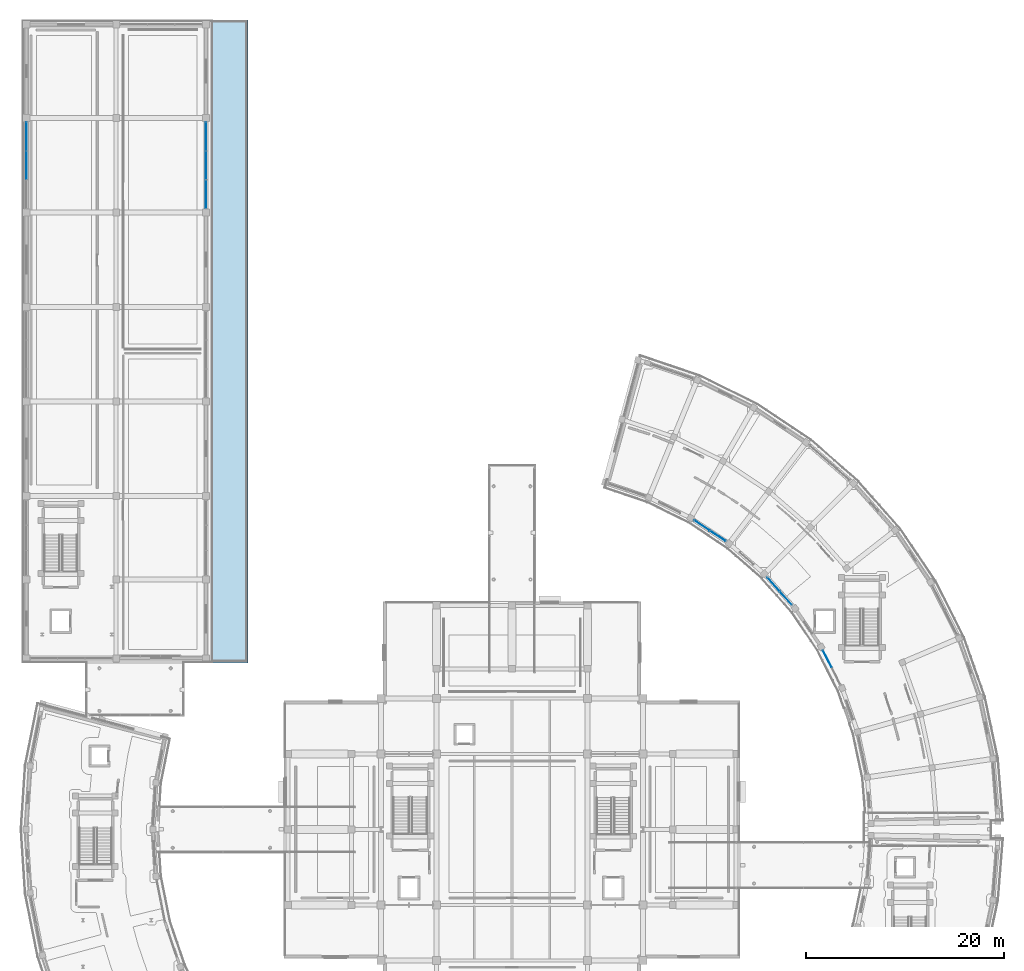
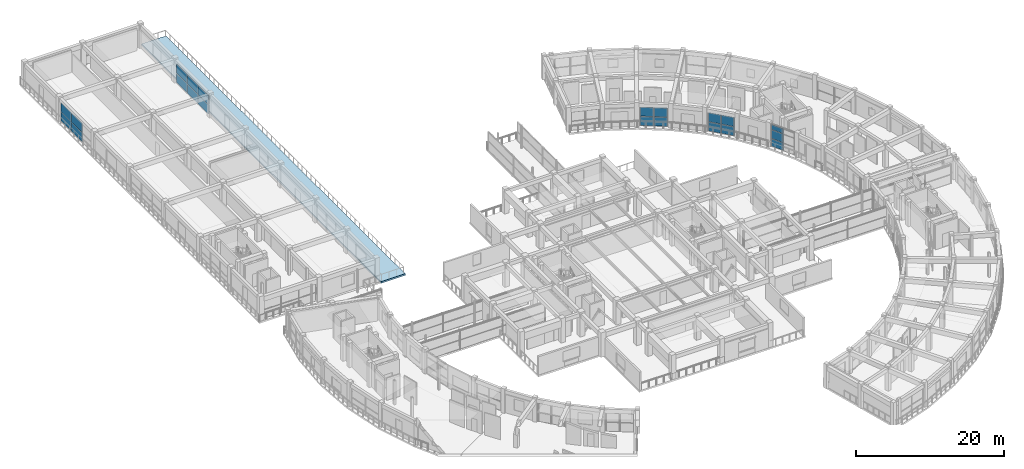
# One storey, part 42 of 70: 21 plates, 1 slab, 5 elements without a shape of their own.
"""IFC4 building model written with IfcOpenShell, lengths in metres."""

from ifc_helpers import new_model, si_unit, direction, frame, origin, origin_2d, place, context, subcontext, project, spatial, polyline, rectangle, outline, extrude, material, layer, layer_set, type_object, element, aggregate, save


model = new_model("IFC4")

# Units and contexts
model_context = context("Model", 3, precision=1e-05, world=origin(), true_north=direction((0.0, 1.0)))
body_context = subcontext(model_context, "Body", "Model", "MODEL_VIEW")
ifc_project = project(units=[si_unit("LENGTHUNIT", "METRE"), si_unit("AREAUNIT", "SQUARE_METRE"), si_unit("VOLUMEUNIT", "CUBIC_METRE"), si_unit("PLANEANGLEUNIT", "RADIAN"), si_unit("MASSUNIT", "GRAM", prefix="KILO")], contexts=[model_context])

# Site, building, storey
site_placement = place(None, origin())
site = spatial("IfcSite", under=ifc_project, at=site_placement, CompositionType="ELEMENT")
building_placement = place(site_placement, origin())
building = spatial("IfcBuilding", under=site, at=building_placement, Name="Saryqyr Civic Hall", CompositionType="ELEMENT")
storey_placement = place(building_placement, frame((0.0, 0.0, 13.199951171875)))
storey = spatial("IfcBuildingStorey", under=building, at=storey_placement, Name="L03", CompositionType="ELEMENT", Elevation=13.199951171875)

# Curtain wall, plates
ifc_material_1 = material(Name="Anodised aluminium and triple low-E glass", Category="aluminium")
curtain_wall_type_1 = type_object("IfcCurtainWallType", Name="ENV-CW-STD-48", PredefinedType="NOTDEFINED", material=ifc_material_1)
curtain_wall_1_placement = place(storey_placement, origin())
curtain_wall_1 = element("IfcCurtainWall", 1, at=curtain_wall_1_placement, inside=storey, type_object=curtain_wall_type_1, Name="Curtain wall V6-CWI-L03-03", PredefinedType="NOTDEFINED")
ifc_material_2 = material(Name="Triple low-E insulated glazing", Category="glass")
ifc_layer_1 = layer(ifc_material_2, 0.053955078125, Name="Triple low-E insulated glazing")
ifc_layer_set_1 = layer_set([ifc_layer_1], Name="Triple low-E insulated glazing")
plate_type = type_object("IfcPlateType", Name="ENV-CW-PNL-38", PredefinedType="CURTAIN_PANEL", material=ifc_layer_set_1)
plate_1_placement = place(storey_placement, frame((88.78955078125, 101.18505859375, 0.06005859375), z_axis=(0.0, 0.0, 1.0), x_axis=(-0.451909750219, 0.892063662334, 0.0)))
plate_1 = element("IfcPlate", 2, at=plate_1_placement, type_object=plate_type, Name="CW-48 panel 2.1", PredefinedType="CURTAIN_PANEL", context=body_context, shape_type="SweptSolid", body=[
    extrude(rectangle(XDim=1.866455078125, YDim=0.053955078125, at=origin_2d()), origin(), (0.0, 0.0, 1.0), 1.241943359375),
])
plate_2_placement = place(storey_placement, frame((88.78955078125, 101.18505859375, 1.362060546875), z_axis=(0.0, 0.0, 1.0), x_axis=(-0.451909750219, 0.892063662334, 0.0)))
plate_2 = element("IfcPlate", 3, at=plate_2_placement, type_object=plate_type, Name="CW-48 panel 2.2", PredefinedType="CURTAIN_PANEL", context=body_context, shape_type="SweptSolid", body=[
    extrude(rectangle(XDim=1.866455078125, YDim=0.053955078125, at=origin_2d()), origin(), (0.0, 0.0, 1.0), 1.419921875),
])
plate_3_placement = place(storey_placement, frame((88.78955078125, 101.18505859375, 2.841796875), z_axis=(0.0, 0.0, 1.0), x_axis=(-0.451909750219, 0.892063662334, 0.0)))
plate_3 = element("IfcPlate", 4, at=plate_3_placement, type_object=plate_type, Name="CW-48 panel 2.3", PredefinedType="CURTAIN_PANEL", context=body_context, shape_type="SweptSolid", body=[
    extrude(rectangle(XDim=1.866455078125, YDim=0.053955078125, at=origin_2d()), origin(), (0.0, 0.0, 1.0), 0.798095703125),
])
aggregate(curtain_wall_1, [plate_1, plate_2, plate_3])

curtain_wall_type_2 = type_object("IfcCurtainWallType", Name="ENV-CW-STD-27", PredefinedType="NOTDEFINED", material=ifc_material_1)
curtain_wall_2_placement = place(storey_placement, origin())
curtain_wall_2 = element("IfcCurtainWall", 5, at=curtain_wall_2_placement, inside=storey, type_object=curtain_wall_type_2, Name="Curtain wall V6-CWI-L03-05", PredefinedType="NOTDEFINED")
plate_4_placement = place(storey_placement, frame((84.59716796875, 107.32861328125, 0.06005859375), z_axis=(0.0, 0.0, 1.0), x_axis=(-0.664934070862, 0.7469020561, 0.0)))
plate_4 = element("IfcPlate", 6, at=plate_4_placement, type_object=plate_type, Name="CW-27 panel 1.1", PredefinedType="CURTAIN_PANEL", context=body_context, shape_type="SweptSolid", body=[
    extrude(rectangle(XDim=1.79248046875, YDim=0.053955078125, at=origin_2d()), origin(), (0.0, 0.0, 1.0), 1.491943359375),
])
plate_5_placement = place(storey_placement, frame((84.59716796875, 107.32861328125, 1.6123046875), z_axis=(0.0, 0.0, 1.0), x_axis=(-0.664934070862, 0.7469020561, 0.0)))
plate_5 = element("IfcPlate", 7, at=plate_5_placement, type_object=plate_type, Name="CW-27 panel 1.2", PredefinedType="CURTAIN_PANEL", context=body_context, shape_type="SweptSolid", body=[
    extrude(rectangle(XDim=1.79248046875, YDim=0.053955078125, at=origin_2d()), origin(), (0.0, 0.0, 1.0), 1.492919921875),
])
plate_6_placement = place(storey_placement, frame((83.365478515625, 108.71240234375, 0.06005859375), z_axis=(0.0, 0.0, 1.0), x_axis=(-0.664934070862, 0.7469020561, 0.0)))
plate_6 = element("IfcPlate", 8, at=plate_6_placement, type_object=plate_type, Name="CW-27 panel 2.1", PredefinedType="CURTAIN_PANEL", context=body_context, shape_type="SweptSolid", body=[
    extrude(rectangle(XDim=1.79248046875, YDim=0.053955078125, at=origin_2d()), origin(), (0.0, 0.0, 1.0), 1.491943359375),
])
plate_7_placement = place(storey_placement, frame((83.365478515625, 108.71240234375, 1.6123046875), z_axis=(0.0, 0.0, 1.0), x_axis=(-0.664934070862, 0.7469020561, 0.0)))
plate_7 = element("IfcPlate", 9, at=plate_7_placement, type_object=plate_type, Name="CW-27 panel 2.2", PredefinedType="CURTAIN_PANEL", context=body_context, shape_type="SweptSolid", body=[
    extrude(rectangle(XDim=1.79248046875, YDim=0.053955078125, at=origin_2d()), origin(), (0.0, 0.0, 1.0), 1.492919921875),
])
aggregate(curtain_wall_2, [plate_4, plate_5, plate_6, plate_7])

curtain_wall_type_3 = type_object("IfcCurtainWallType", Name="ENV-CW-STD-25", PredefinedType="NOTDEFINED", material=ifc_material_1)
curtain_wall_3_placement = place(storey_placement, origin())
curtain_wall_3 = element("IfcCurtainWall", 10, at=curtain_wall_3_placement, inside=storey, type_object=curtain_wall_type_3, Name="Curtain wall V6-CWI-L03-07", PredefinedType="NOTDEFINED")
plate_8_placement = place(storey_placement, frame((77.737060546875, 113.594970703125, 0.06005859375), z_axis=(0.0, 0.0, 1.0), x_axis=(-0.833756291383, 0.552132634953, 0.0)))
plate_8 = element("IfcPlate", 11, at=plate_8_placement, type_object=plate_type, Name="CW-25 panel 1.1", PredefinedType="CURTAIN_PANEL", context=body_context, shape_type="SweptSolid", body=[
    extrude(rectangle(XDim=1.83984375, YDim=0.053955078125, at=origin_2d()), origin(), (0.0, 0.0, 1.0), 1.491943359375),
])
plate_9_placement = place(storey_placement, frame((77.737060546875, 113.594970703125, 1.6123046875), z_axis=(0.0, 0.0, 1.0), x_axis=(-0.833756291383, 0.552132634953, 0.0)))
plate_9 = element("IfcPlate", 12, at=plate_9_placement, type_object=plate_type, Name="CW-25 panel 1.2", PredefinedType="CURTAIN_PANEL", context=body_context, shape_type="SweptSolid", body=[
    extrude(rectangle(XDim=1.83984375, YDim=0.053955078125, at=origin_2d()), origin(), (0.0, 0.0, 1.0), 1.492919921875),
])
plate_10_placement = place(storey_placement, frame((76.15283203125, 114.643798828125, 0.06005859375), z_axis=(0.0, 0.0, 1.0), x_axis=(-0.833756291383, 0.552132634953, 0.0)))
plate_10 = element("IfcPlate", 13, at=plate_10_placement, type_object=plate_type, Name="CW-25 panel 2.1", PredefinedType="CURTAIN_PANEL", context=body_context, shape_type="SweptSolid", body=[
    extrude(rectangle(XDim=1.83984375, YDim=0.053955078125, at=origin_2d()), origin(), (0.0, 0.0, 1.0), 1.491943359375),
])
plate_11_placement = place(storey_placement, frame((76.15283203125, 114.643798828125, 1.6123046875), z_axis=(0.0, 0.0, 1.0), x_axis=(-0.833756291383, 0.552132634953, 0.0)))
plate_11 = element("IfcPlate", 14, at=plate_11_placement, type_object=plate_type, Name="CW-25 panel 2.2", PredefinedType="CURTAIN_PANEL", context=body_context, shape_type="SweptSolid", body=[
    extrude(rectangle(XDim=1.83984375, YDim=0.053955078125, at=origin_2d()), origin(), (0.0, 0.0, 1.0), 1.492919921875),
])
aggregate(curtain_wall_3, [plate_8, plate_9, plate_10, plate_11])

curtain_wall_type_4 = type_object("IfcCurtainWallType", Name="ENV-CW-STD-52", PredefinedType="NOTDEFINED", material=ifc_material_1)
curtain_wall_4_placement = place(storey_placement, origin())
curtain_wall_4 = element("IfcCurtainWall", 15, at=curtain_wall_4_placement, inside=storey, type_object=curtain_wall_type_4, Name="Curtain wall V3-CW-L03-1-1", PredefinedType="NOTDEFINED")
plate_12_placement = place(storey_placement, frame((26.14990234375, 153.856689453125, 0.06005859375), z_axis=(0.0, 0.0, 1.0), x_axis=(0.0, -1.0, 0.0)))
plate_12 = element("IfcPlate", 16, at=plate_12_placement, type_object=plate_type, Name="CW-52 panel 1.1", PredefinedType="CURTAIN_PANEL", context=body_context, shape_type="SweptSolid", body=[
    extrude(rectangle(XDim=2.82666015625, YDim=0.053955078125, at=origin_2d()), origin(), (0.0, 0.0, 1.0), 1.491943359375),
])
plate_13_placement = place(storey_placement, frame((26.14990234375, 153.856689453125, 1.6123046875), z_axis=(0.0, 0.0, 1.0), x_axis=(0.0, -1.0, 0.0)))
plate_13 = element("IfcPlate", 17, at=plate_13_placement, type_object=plate_type, Name="CW-52 panel 1.2", PredefinedType="CURTAIN_PANEL", context=body_context, shape_type="SweptSolid", body=[
    extrude(rectangle(XDim=2.82666015625, YDim=0.053955078125, at=origin_2d()), origin(), (0.0, 0.0, 1.0), 1.492919921875),
])
plate_14_placement = place(storey_placement, frame((26.14990234375, 150.955078125, 0.06005859375), z_axis=(0.0, 0.0, 1.0), x_axis=(0.0, -1.0, 0.0)))
plate_14 = element("IfcPlate", 18, at=plate_14_placement, type_object=plate_type, Name="CW-52 panel 2.1", PredefinedType="CURTAIN_PANEL", context=body_context, shape_type="SweptSolid", body=[
    extrude(rectangle(XDim=2.856689453125, YDim=0.053955078125, at=origin_2d()), origin(), (0.0, 0.0, 1.0), 1.491943359375),
])
plate_15_placement = place(storey_placement, frame((26.14990234375, 150.955078125, 1.6123046875), z_axis=(0.0, 0.0, 1.0), x_axis=(0.0, -1.0, 0.0)))
plate_15 = element("IfcPlate", 19, at=plate_15_placement, type_object=plate_type, Name="CW-52 panel 2.2", PredefinedType="CURTAIN_PANEL", context=body_context, shape_type="SweptSolid", body=[
    extrude(rectangle(XDim=2.856689453125, YDim=0.053955078125, at=origin_2d()), origin(), (0.0, 0.0, 1.0), 1.492919921875),
])
plate_16_placement = place(storey_placement, frame((26.14990234375, 148.05322265625, 0.06005859375), z_axis=(0.0, 0.0, 1.0), x_axis=(0.0, -1.0, 0.0)))
plate_16 = element("IfcPlate", 20, at=plate_16_placement, type_object=plate_type, Name="CW-52 panel 3.1", PredefinedType="CURTAIN_PANEL", context=body_context, shape_type="SweptSolid", body=[
    extrude(rectangle(XDim=2.82666015625, YDim=0.053955078125, at=origin_2d()), origin(), (0.0, 0.0, 1.0), 1.491943359375),
])
plate_17_placement = place(storey_placement, frame((26.14990234375, 148.05322265625, 1.6123046875), z_axis=(0.0, 0.0, 1.0), x_axis=(0.0, -1.0, 0.0)))
plate_17 = element("IfcPlate", 21, at=plate_17_placement, type_object=plate_type, Name="CW-52 panel 3.2", PredefinedType="CURTAIN_PANEL", context=body_context, shape_type="SweptSolid", body=[
    extrude(rectangle(XDim=2.82666015625, YDim=0.053955078125, at=origin_2d()), origin(), (0.0, 0.0, 1.0), 1.492919921875),
])
aggregate(curtain_wall_4, [plate_12, plate_13, plate_14, plate_15, plate_16, plate_17])

curtain_wall_5_placement = place(storey_placement, origin())
curtain_wall_5 = element("IfcCurtainWall", 22, at=curtain_wall_5_placement, inside=storey, type_object=curtain_wall_type_4, Name="Curtain wall V3-CW-L03-3-5", PredefinedType="NOTDEFINED")
plate_18_placement = place(storey_placement, frame((8.050048828125, 150.955078125, 0.06005859375), z_axis=(0.0, 0.0, 1.0), x_axis=(0.0, 1.0, 0.0)))
plate_18 = element("IfcPlate", 23, at=plate_18_placement, type_object=plate_type, Name="CW-52 panel 2.1", PredefinedType="CURTAIN_PANEL", context=body_context, shape_type="SweptSolid", body=[
    extrude(rectangle(XDim=2.856689453125, YDim=0.053955078125, at=origin_2d()), origin(), (0.0, 0.0, 1.0), 1.491943359375),
])
plate_19_placement = place(storey_placement, frame((8.050048828125, 150.955078125, 1.6123046875), z_axis=(0.0, 0.0, 1.0), x_axis=(0.0, 1.0, 0.0)))
plate_19 = element("IfcPlate", 24, at=plate_19_placement, type_object=plate_type, Name="CW-52 panel 2.2", PredefinedType="CURTAIN_PANEL", context=body_context, shape_type="SweptSolid", body=[
    extrude(rectangle(XDim=2.856689453125, YDim=0.053955078125, at=origin_2d()), origin(), (0.0, 0.0, 1.0), 1.492919921875),
])
plate_20_placement = place(storey_placement, frame((8.050048828125, 153.856689453125, 0.06005859375), z_axis=(0.0, 0.0, 1.0), x_axis=(0.0, 1.0, 0.0)))
plate_20 = element("IfcPlate", 25, at=plate_20_placement, type_object=plate_type, Name="CW-52 panel 3.1", PredefinedType="CURTAIN_PANEL", context=body_context, shape_type="SweptSolid", body=[
    extrude(rectangle(XDim=2.82666015625, YDim=0.053955078125, at=origin_2d()), origin(), (0.0, 0.0, 1.0), 1.491943359375),
])
plate_21_placement = place(storey_placement, frame((8.050048828125, 153.856689453125, 1.6123046875), z_axis=(0.0, 0.0, 1.0), x_axis=(0.0, 1.0, 0.0)))
plate_21 = element("IfcPlate", 26, at=plate_21_placement, type_object=plate_type, Name="CW-52 panel 3.2", PredefinedType="CURTAIN_PANEL", context=body_context, shape_type="SweptSolid", body=[
    extrude(rectangle(XDim=2.82666015625, YDim=0.053955078125, at=origin_2d()), origin(), (0.0, 0.0, 1.0), 1.492919921875),
])
aggregate(curtain_wall_5, [plate_18, plate_19, plate_20, plate_21])

# Slab
ifc_material_3 = material(Name="Concrete C35/45", Category="concrete")
ifc_layer_2 = layer(ifc_material_3, 0.27001953125, Name="Concrete C35/45")
ifc_layer_set_2 = layer_set([ifc_layer_2], Name="Concrete C35/45")
slab_type = type_object("IfcSlabType", Name="STR-SLB-TERR-270", PredefinedType="FLOOR", material=ifc_layer_set_2)
slab_placement = place(storey_placement, frame((0.0, 0.0, -0.27001953125)))
element("IfcSlab", 27, at=slab_placement, inside=storey, type_object=slab_type, Name="Slab SLB-V3-TERR-L03", PredefinedType="FLOOR", context=body_context, shape_type="SweptSolid", body=[
    extrude(outline(polyline([(30.39990234375, 165.60009765625), (30.39990234375, 100.800048828125), (26.60009765625, 100.800048828125), (26.60009765625, 165.60009765625), (30.39990234375, 165.60009765625)])), origin(), (0.0, 0.0, 1.0), 0.27001953125),
])

save(model, "model.ifc")
